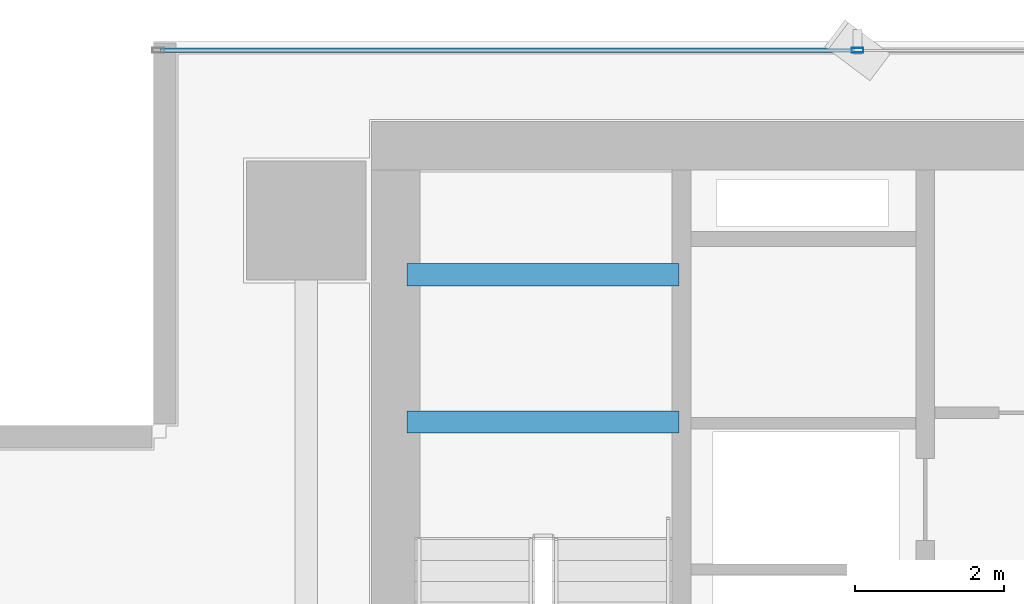
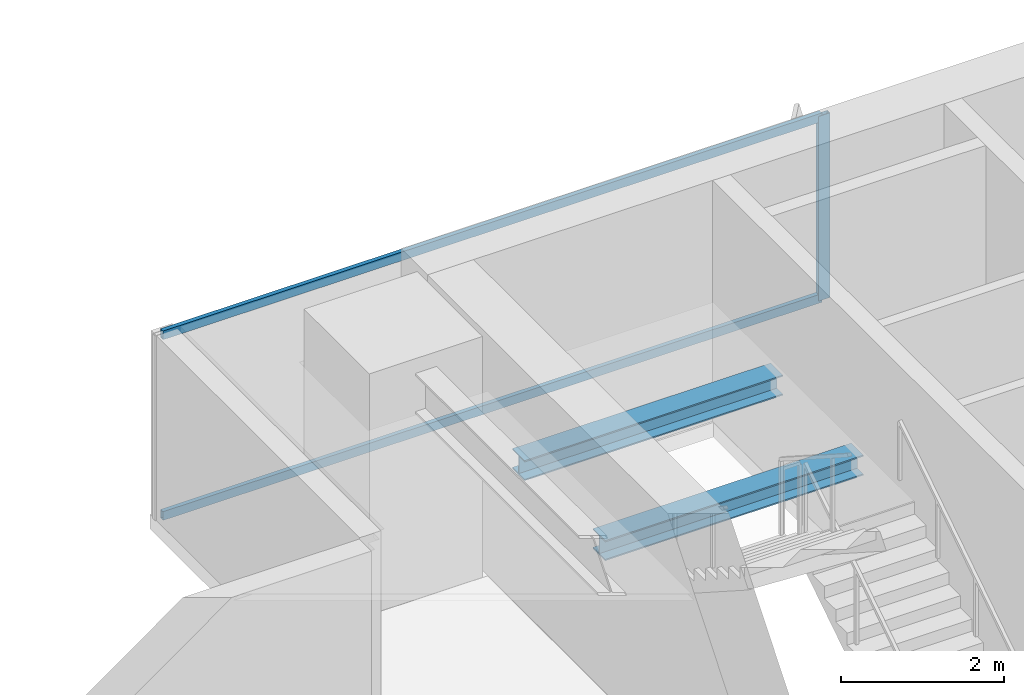
# One storey, part 15 of 28: 3 members, 2 beams, 1 element without a shape of its own.
"""IFC4 building model written with IfcOpenShell, lengths in metres."""

from ifc_helpers import new_model, si_unit, direction, frame, origin, origin_2d, place, context, subcontext, project, spatial, hollow_rectangle, i_section, extrude, source, transform, mapped, material, layer, layer_set, material_profile, profile_set, type_object, element, aggregate, save


model = new_model("IFC4")

# Units and contexts
model_context = context("Model", 3, precision=1e-05, world=origin(), true_north=direction((0.0, 1.0)))
body_context = subcontext(model_context, "Body", "Model", "MODEL_VIEW")
ifc_project = project(units=[si_unit("LENGTHUNIT", "METRE"), si_unit("AREAUNIT", "SQUARE_METRE"), si_unit("VOLUMEUNIT", "CUBIC_METRE"), si_unit("PLANEANGLEUNIT", "RADIAN"), si_unit("MASSUNIT", "GRAM", prefix="KILO")], contexts=[model_context])

# Site, building, storey
site_placement = place(None, origin())
site = spatial("IfcSite", under=ifc_project, at=site_placement, CompositionType="ELEMENT")
building_placement = place(site_placement, origin())
building = spatial("IfcBuilding", under=site, at=building_placement, Name="Sumidabori Civic Tower", CompositionType="ELEMENT")
storey_placement = place(building_placement, frame((0.0, 0.0, 182.0)))
storey = spatial("IfcBuildingStorey", under=building, at=storey_placement, Name="L47", CompositionType="ELEMENT", Elevation=182.0)

# Beams
ifc_material_1 = material(Name="Steel SN490", Category="steel")
ifc_material_profile_1 = material_profile(ifc_material_1, i_section(OverallWidth=0.300048828125, OverallDepth=0.300048828125, WebThickness=0.010986328125, FlangeThickness=0.01904296875, at=origin_2d()), Name="HE 300 B")
ifc_profile_set_1 = profile_set([ifc_material_profile_1], Name="Steel SN490")
beam_type = type_object("IfcBeamType", Name="BM-LDG-300", PredefinedType="BEAM", material=ifc_profile_set_1)
shared_shape_1 = source(origin(), body_context, "Body", "SweptSolid", [
    extrude(i_section(OverallWidth=0.300048828125, OverallDepth=0.300048828125, WebThickness=0.010986328125, FlangeThickness=0.01904296875, at=origin_2d()), origin(), (0.0, 0.0, 1.0), 3.64990234375),
])
for number, where, z_axis, x_axis, name in (
    (1, (-15.449951171875, 20.09765625, 1.449951171875), (1.0, 0.0, 0.0), (0.0, 1.0, 0.0), "Stair ST-1 Landing Support Beam L47-1A"),
    (2, (-15.449951171875, 22.069580078125, 1.449951171875), (1.0, 0.0, 0.0), (0.0, 1.0, 0.0), "Stair ST-1 Landing Trimmer Beam L47-1B"),
):
    element("IfcBeam", number, at=place(storey_placement, frame(where, z_axis=z_axis, x_axis=x_axis)), inside=storey, type_object=beam_type, Name=name, PredefinedType="BEAM", context=body_context, shape_type="MappedRepresentation", body=[
        mapped(shared_shape_1, transform((0.0, 0.0, 0.0), x_axis=(1.0, 0.0, 0.0), y_axis=(0.0, 1.0, 0.0), z_axis=(0.0, 0.0, 1.0), scale=1.0)),
    ])

# Curtain wall, members
ifc_material_2 = material(Name="Anodised Bronze Aluminium AW-6063-T6", Category="aluminium")
ifc_layer = layer(ifc_material_2, 0.179931640625, Name="Anodised Bronze Aluminium AW-6063-T6")
ifc_layer_set = layer_set([ifc_layer], Name="Anodised Bronze Aluminium AW-6063-T6")
curtain_wall_type = type_object("IfcCurtainWallType", Name="CW-SYS-3", PredefinedType="NOTDEFINED", material=ifc_layer_set)
curtain_wall_placement = place(storey_placement, origin())
curtain_wall = element("IfcCurtainWall", 3, at=curtain_wall_placement, inside=storey, type_object=curtain_wall_type, Name="Curtain Wall CW:L47:R07", PredefinedType="NOTDEFINED")
ifc_material_profile_2 = material_profile(ifc_material_2, hollow_rectangle(XDim=0.06494140625, YDim=0.159912109375, WallThickness=0.0048828125, at=origin_2d()), Name="ALU MULLION 160x65")
ifc_profile_set_2 = profile_set([ifc_material_profile_2], Name="Anodised Bronze Aluminium AW-6063-T6")
member_type_1 = type_object("IfcMemberType", Name="CW-MUL-160", PredefinedType="MULLION", material=ifc_profile_set_2)
shared_shape_2 = source(origin(), body_context, "Body", "SweptSolid", [
    extrude(hollow_rectangle(XDim=0.06494140625, YDim=0.159912109375, WallThickness=0.0048828125, at=origin_2d()), origin(), (0.0, 0.0, 1.0), 2.760009765625),
])
member_1_placement = place(storey_placement, frame((-9.409912109375, 25.080078125, 0.0), z_axis=(0.0, 0.0, 1.0), x_axis=(0.0, -1.0, 0.0)))
member_1 = element("IfcMember", 4, at=member_1_placement, type_object=member_type_1, Name="CW-3 mullion 4", PredefinedType="MULLION", context=body_context, shape_type="MappedRepresentation", body=[
    mapped(shared_shape_2, transform((0.0, 0.0, 0.0), x_axis=(1.0, 0.0, 0.0), y_axis=(0.0, 1.0, 0.0), z_axis=(0.0, 0.0, 1.0), scale=1.0)),
])
ifc_material_profile_3 = material_profile(ifc_material_2, hollow_rectangle(XDim=0.06005859375, YDim=0.1298828125, WallThickness=0.0048828125, at=origin_2d()), Name="ALU TRANSOM 130x60")
ifc_profile_set_3 = profile_set([ifc_material_profile_3], Name="Anodised Bronze Aluminium AW-6063-T6")
member_type_2 = type_object("IfcMemberType", Name="CW-TRN-130", PredefinedType="USERDEFINED", material=ifc_profile_set_3)
shared_shape_3 = source(origin(), body_context, "Body", "SweptSolid", [
    extrude(hollow_rectangle(XDim=0.06005859375, YDim=0.1298828125, WallThickness=0.0048828125, at=origin_2d()), origin(), (0.0, 0.0, 1.0), 9.3125),
])
member_2_placement = place(storey_placement, frame((-9.4423828125, 25.080078125, 0.030029296875), z_axis=(-1.0, 0.0, 0.0), x_axis=(0.0, -1.0, 0.0)))
member_2 = element("IfcMember", 5, at=member_2_placement, type_object=member_type_2, Name="CW-3 transom 4.1", ObjectType="TRANSOM", PredefinedType="USERDEFINED", context=body_context, shape_type="MappedRepresentation", body=[
    mapped(shared_shape_3, transform((0.0, 0.0, 0.0), x_axis=(1.0, 0.0, 0.0), y_axis=(0.0, 1.0, 0.0), z_axis=(0.0, 0.0, 1.0), scale=1.0)),
])
member_3_placement = place(storey_placement, frame((-9.4423828125, 25.080078125, 2.72998046875), z_axis=(-1.0, 0.0, 0.0), x_axis=(0.0, -1.0, 0.0)))
member_3 = element("IfcMember", 6, at=member_3_placement, type_object=member_type_2, Name="CW-3 transom 4.2", ObjectType="TRANSOM", PredefinedType="USERDEFINED", context=body_context, shape_type="MappedRepresentation", body=[
    mapped(shared_shape_3, transform((0.0, 0.0, 0.0), x_axis=(1.0, 0.0, 0.0), y_axis=(0.0, 1.0, 0.0), z_axis=(0.0, 0.0, 1.0), scale=1.0)),
])
aggregate(curtain_wall, [member_1, member_2, member_3])

save(model, "model.ifc")
